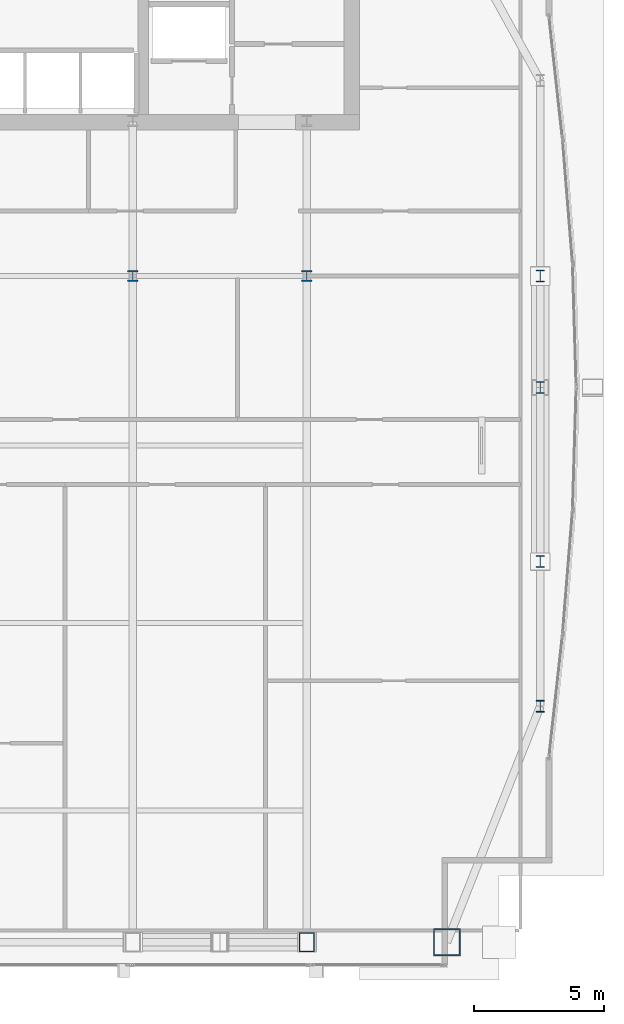
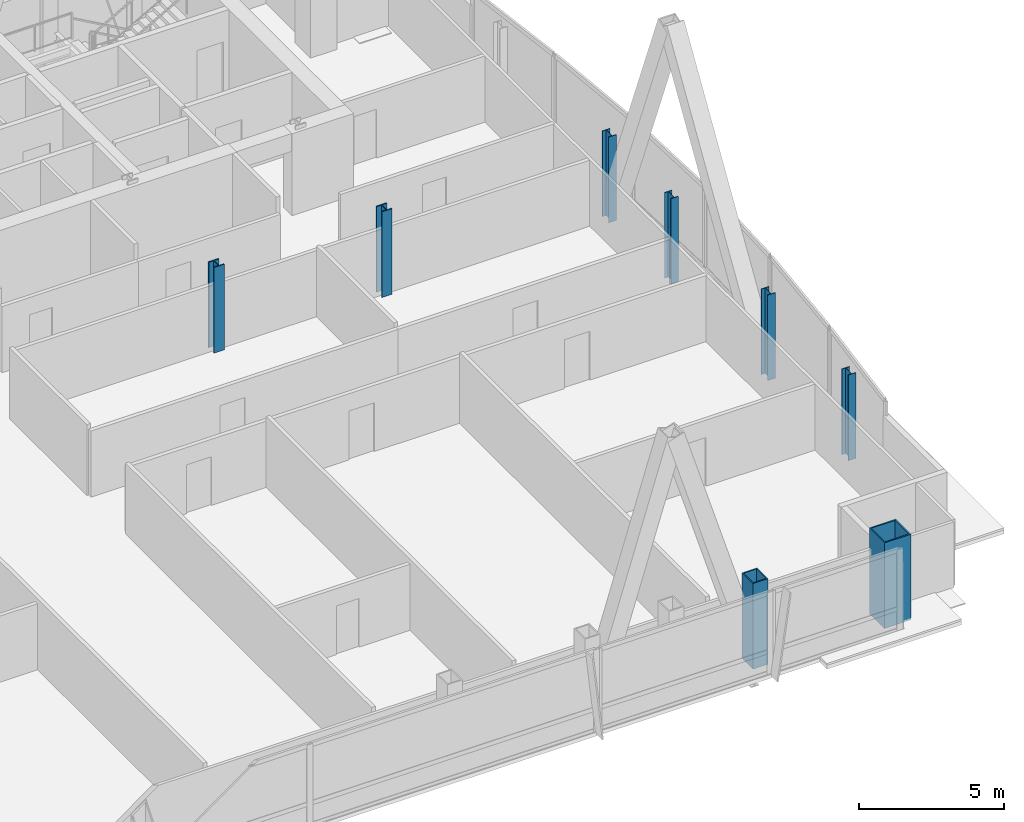
# One storey, part 2 of 30: 8 columns.
"""IFC4 building model written with IfcOpenShell, lengths in metres."""

from ifc_helpers import new_model, si_unit, direction, frame, origin, origin_2d, place, context, subcontext, project, spatial, hollow_rectangle, i_section, extrude, material, material_profile, profile_set, type_object, element, save


model = new_model("IFC4")

# Units and contexts
model_context = context("Model", 3, precision=1e-05, world=origin(), true_north=direction((0.0, 1.0)))
body_context = subcontext(model_context, "Body", "Model", "MODEL_VIEW")
ifc_project = project(units=[si_unit("LENGTHUNIT", "METRE"), si_unit("AREAUNIT", "SQUARE_METRE"), si_unit("VOLUMEUNIT", "CUBIC_METRE"), si_unit("PLANEANGLEUNIT", "RADIAN"), si_unit("MASSUNIT", "GRAM", prefix="KILO")], contexts=[model_context])

# Site, building, storey
site_placement = place(None, origin())
site = spatial("IfcSite", under=ifc_project, at=site_placement, CompositionType="ELEMENT")
building_placement = place(site_placement, origin())
building = spatial("IfcBuilding", under=site, at=building_placement, Name="Khoronbel Lancet Exchange", CompositionType="ELEMENT")
storey_placement = place(building_placement, frame((0.0, 0.0, 239.0)))
storey = spatial("IfcBuildingStorey", under=building, at=storey_placement, Name="L61", CompositionType="ELEMENT", Elevation=239.0)

# Columns
ifc_material_1 = material(Name="Steel S460", Category="steel")
ifc_material_profile_1 = material_profile(ifc_material_1, hollow_rectangle(XDim=0.60009765625, YDim=0.75, WallThickness=0.044921875, at=origin_2d()), Name="BOX 750x600x45")
ifc_profile_set_1 = profile_set([ifc_material_profile_1], Name="Steel S460")
column_type_1 = type_object("IfcColumnType", Name="COL-EC3", PredefinedType="COLUMN", material=ifc_profile_set_1)
column_1_placement = place(storey_placement, frame((54.675048828125, 10.14990234375, 0.0), z_axis=(0.0, 0.0, 1.0), x_axis=(1.0, 0.0, 0.0)))
element("IfcColumn", 1, at=column_1_placement, inside=storey, type_object=column_type_1, Name="Structural column SC-E2 L61", PredefinedType="COLUMN", context=body_context, shape_type="SweptSolid", body=[
    extrude(hollow_rectangle(XDim=0.60009765625, YDim=0.75, WallThickness=0.044921875, at=origin_2d()), origin(), (0.0, 0.0, 1.0), 3.60009765625),
])
ifc_material_2 = material(Name="Steel S355", Category="steel")
ifc_material_profile_2 = material_profile(ifc_material_2, i_section(OverallWidth=0.406005859375, OverallDepth=0.416015625, WebThickness=0.02978515625, FlangeThickness=0.048095703125, at=origin_2d()), Name="HD 400x382")
ifc_profile_set_2 = profile_set([ifc_material_profile_2], Name="Steel S355")
column_type_2 = type_object("IfcColumnType", Name="COL-IC3", PredefinedType="COLUMN", material=ifc_profile_set_2)
for number, where, z_axis, x_axis, name in (
    (2, (48.0, 35.699951171875, 0.0), (0.0, 0.0, 1.0), (1.0, 0.0, 0.0), "Spine gravity column TC3 L61"),
    (3, (54.675048828125, 35.699951171875, 0.0), (0.0, 0.0, 1.0), (1.0, 0.0, 0.0), "Spine gravity column TC4 L61"),
):
    element("IfcColumn", number, at=place(storey_placement, frame(where, z_axis=z_axis, x_axis=x_axis)), inside=storey, type_object=column_type_2, Name=name, PredefinedType="COLUMN", context=body_context, shape_type="SweptSolid", body=[
        extrude(i_section(OverallWidth=0.406005859375, OverallDepth=0.416015625, WebThickness=0.02978515625, FlangeThickness=0.048095703125, at=origin_2d()), origin(), (0.0, 0.0, 1.0), 3.60009765625),
    ])
ifc_material_profile_3 = material_profile(ifc_material_2, i_section(OverallWidth=0.300048828125, OverallDepth=0.449951171875, WebThickness=0.013916015625, FlangeThickness=0.02587890625, at=origin_2d()), Name="HEB 450")
ifc_profile_set_3 = profile_set([ifc_material_profile_3], Name="Steel S355")
column_type_3 = type_object("IfcColumnType", Name="COL-LC2", PredefinedType="COLUMN", material=ifc_profile_set_3)
for number, where, z_axis, x_axis, name in (
    (4, (63.6298828125, 19.199951171875, 0.0), (0.0, 0.0, 1.0), (1.0, 0.0, 0.0), "Structural column EC-1 L61"),
    (5, (63.6298828125, 24.75, 0.0), (0.0, 0.0, 1.0), (1.0, 0.0, 0.0), "Structural column EC-2 L61"),
    (6, (63.6298828125, 31.425048828125, 0.0), (0.0, 0.0, 1.0), (1.0, 0.0, 0.0), "Structural column EC-M L61"),
    (7, (63.6298828125, 35.699951171875, 0.0), (0.0, 0.0, 1.0), (1.0, 0.0, 0.0), "Structural column EC-3 L61"),
):
    element("IfcColumn", number, at=place(storey_placement, frame(where, z_axis=z_axis, x_axis=x_axis)), inside=storey, type_object=column_type_3, Name=name, PredefinedType="COLUMN", context=body_context, shape_type="SweptSolid", body=[
        extrude(i_section(OverallWidth=0.300048828125, OverallDepth=0.449951171875, WebThickness=0.013916015625, FlangeThickness=0.02587890625, at=origin_2d()), origin(), (0.0, 0.0, 1.0), 3.60009765625),
    ])
ifc_material_profile_4 = material_profile(ifc_material_1, hollow_rectangle(XDim=1.050048828125, YDim=1.050048828125, WallThickness=0.054931640625, at=origin_2d()), Name="BOX 1050x1050x55")
ifc_profile_set_4 = profile_set([ifc_material_profile_4], Name="Steel S460")
column_type_4 = type_object("IfcColumnType", Name="COL-MC6", PredefinedType="COLUMN", material=ifc_profile_set_4)
column_2_placement = place(storey_placement, frame((60.050048828125, 10.14990234375, 0.0), z_axis=(0.0, 0.0, 1.0), x_axis=(1.0, 0.0, 0.0)))
element("IfcColumn", 8, at=column_2_placement, inside=storey, type_object=column_type_4, Name="Structural column MC-SE L61", PredefinedType="COLUMN", context=body_context, shape_type="SweptSolid", body=[
    extrude(hollow_rectangle(XDim=1.050048828125, YDim=1.050048828125, WallThickness=0.054931640625, at=origin_2d()), origin(), (0.0, 0.0, 1.0), 3.60009765625),
])

save(model, "model.ifc")
